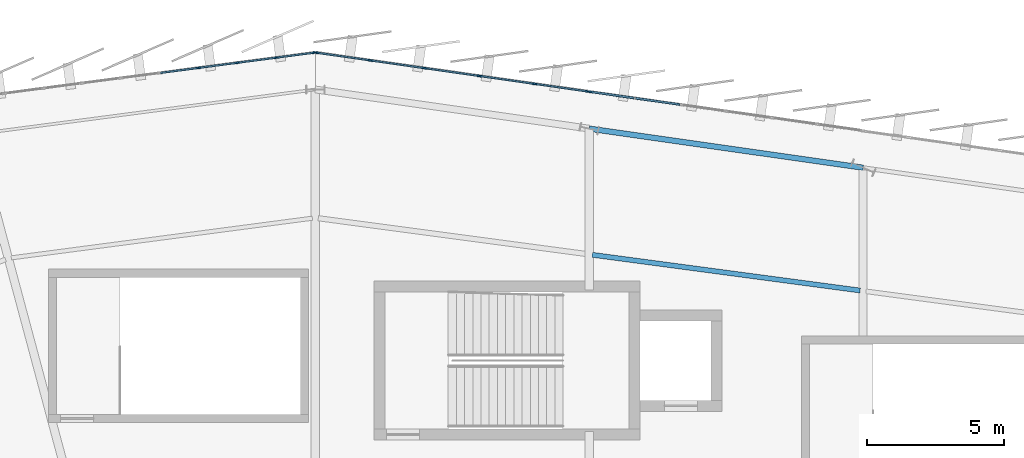
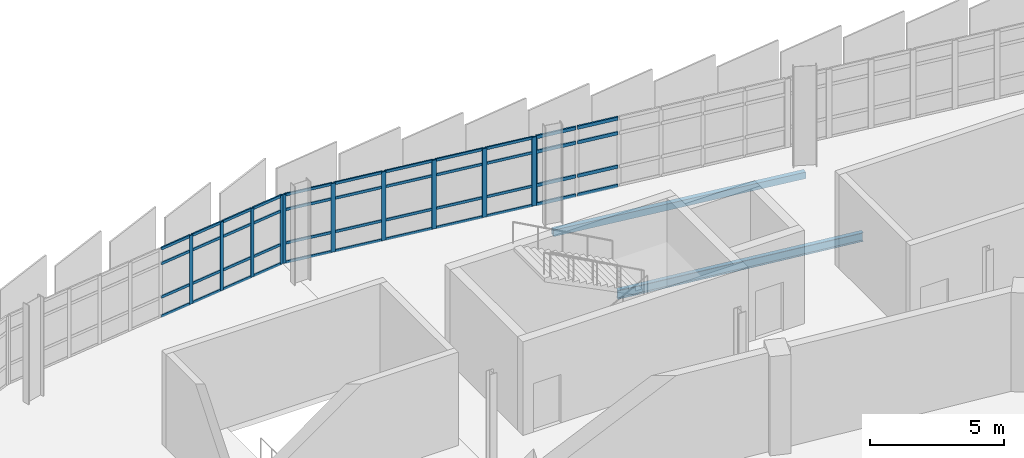
# One storey, part 34 of 87: 55 members, 2 beams, 3 elements without a shape of their own.
"""IFC4 building model written with IfcOpenShell, lengths in metres."""

from ifc_helpers import new_model, si_unit, direction, frame, origin, origin_2d, place, context, subcontext, project, spatial, rectangle, hollow_rectangle, i_section, extrude, material, layer, layer_set, material_profile, profile_set, type_object, element, aggregate, save


model = new_model("IFC4")

# Units and contexts
model_context = context("Model", 3, precision=1e-05, world=origin(), true_north=direction((0.0, 1.0)))
body_context = subcontext(model_context, "Body", "Model", "MODEL_VIEW")
ifc_project = project(units=[si_unit("LENGTHUNIT", "METRE"), si_unit("AREAUNIT", "SQUARE_METRE"), si_unit("VOLUMEUNIT", "CUBIC_METRE"), si_unit("PLANEANGLEUNIT", "RADIAN"), si_unit("MASSUNIT", "GRAM", prefix="KILO")], contexts=[model_context])

# Site, building, storey
site_placement = place(None, origin())
site = spatial("IfcSite", under=ifc_project, at=site_placement, CompositionType="ELEMENT")
building_placement = place(site_placement, origin())
building = spatial("IfcBuilding", under=site, at=building_placement, Name="Sohan Crest Arena", CompositionType="ELEMENT")
storey_placement = place(building_placement, frame((0.0, 0.0, 18.0)))
storey = spatial("IfcBuildingStorey", under=building, at=storey_placement, Name="L04", CompositionType="ELEMENT", Elevation=18.0)

# Curtain wall, members
ifc_material_1 = material(Name="Thermally broken anodised aluminium", Category="aluminium")
ifc_layer_1 = layer(ifc_material_1, 0.179931640625, Name="Thermally broken anodised aluminium")
ifc_layer_set_1 = layer_set([ifc_layer_1], Name="Thermally broken anodised aluminium")
curtain_wall_type_1 = type_object("IfcCurtainWallType", Name="ARC-CW01", PredefinedType="NOTDEFINED", material=ifc_layer_set_1)
curtain_wall_1_placement = place(storey_placement, origin())
curtain_wall_1 = element("IfcCurtainWall", 1, at=curtain_wall_1_placement, inside=storey, type_object=curtain_wall_type_1, Name="Unitised curtain wall CW-112", PredefinedType="NOTDEFINED")
ifc_material_profile_1 = material_profile(ifc_material_1, rectangle(XDim=0.06005859375, YDim=0.159912109375, at=origin_2d()), Name="ALU-MULL 60x160")
ifc_profile_set_1 = profile_set([ifc_material_profile_1], Name="Thermally broken anodised aluminium")
member_type_1 = type_object("IfcMemberType", Name="ARC-CW-ML01", PredefinedType="MULLION", material=ifc_profile_set_1)
member_1_placement = place(storey_placement, frame((97.97021484375, 127.34619140625, 0.0), z_axis=(0.0, 0.0, 1.0), x_axis=(0.130556913275, -0.991440816386, 0.0)))
member_1 = element("IfcMember", 2, at=member_1_placement, type_object=member_type_1, Name="CW-112 mullion 1", PredefinedType="MULLION", context=body_context, shape_type="SweptSolid", body=[
    extrude(rectangle(XDim=0.06005859375, YDim=0.159912109375, at=origin_2d()), origin(), (0.0, 0.0, 1.0), 3.1201171875),
])
member_2_placement = place(storey_placement, frame((96.580810546875, 127.1630859375, 0.0), z_axis=(0.0, 0.0, 1.0), x_axis=(0.130556913275, -0.991440816386, 0.0)))
member_2 = element("IfcMember", 3, at=member_2_placement, type_object=member_type_1, Name="CW-112 mullion 2", PredefinedType="MULLION", context=body_context, shape_type="SweptSolid", body=[
    extrude(rectangle(XDim=0.06005859375, YDim=0.159912109375, at=origin_2d()), origin(), (0.0, 0.0, 1.0), 3.1201171875),
])
member_3_placement = place(storey_placement, frame((95.16162109375, 126.976318359375, 0.0), z_axis=(0.0, 0.0, 1.0), x_axis=(0.130556913275, -0.991440816386, 0.0)))
member_3 = element("IfcMember", 4, at=member_3_placement, type_object=member_type_1, Name="CW-112 mullion 3", PredefinedType="MULLION", context=body_context, shape_type="SweptSolid", body=[
    extrude(rectangle(XDim=0.06005859375, YDim=0.159912109375, at=origin_2d()), origin(), (0.0, 0.0, 1.0), 3.1201171875),
])
member_4_placement = place(storey_placement, frame((93.742431640625, 126.789306640625, 0.0), z_axis=(0.0, 0.0, 1.0), x_axis=(0.130556913275, -0.991440816386, 0.0)))
member_4 = element("IfcMember", 5, at=member_4_placement, type_object=member_type_1, Name="CW-112 mullion 4", PredefinedType="MULLION", context=body_context, shape_type="SweptSolid", body=[
    extrude(rectangle(XDim=0.06005859375, YDim=0.159912109375, at=origin_2d()), origin(), (0.0, 0.0, 1.0), 3.1201171875),
])

# Curtain wall, member
ifc_layer_2 = layer(ifc_material_1, 0.219970703125, Name="Thermally broken anodised aluminium")
ifc_layer_set_2 = layer_set([ifc_layer_2], Name="Thermally broken anodised aluminium")
curtain_wall_type_2 = type_object("IfcCurtainWallType", Name="ARC-CW03", PredefinedType="NOTDEFINED", material=ifc_layer_set_2)
curtain_wall_2_placement = place(storey_placement, origin())
curtain_wall_2 = element("IfcCurtainWall", 6, at=curtain_wall_2_placement, inside=storey, type_object=curtain_wall_type_2, Name="Unitised curtain wall CW-144", PredefinedType="NOTDEFINED")
member_5_placement = place(storey_placement, frame((108.02978515625, 125.916748046875, 0.0), z_axis=(0.0, 0.0, 1.0), x_axis=(-0.141365918403, -0.989957411768, 0.0)))
member_5 = element("IfcMember", 7, at=member_5_placement, type_object=member_type_1, Name="CW-144 mullion 7", PredefinedType="MULLION", context=body_context, shape_type="SweptSolid", body=[
    extrude(rectangle(XDim=0.06005859375, YDim=0.159912109375, at=origin_2d()), origin(), (0.0, 0.0, 1.0), 3.1201171875),
])

# Curtain wall, members
ifc_layer_3 = layer(ifc_material_1, 0.239990234375, Name="Thermally broken anodised aluminium")
ifc_layer_set_3 = layer_set([ifc_layer_3], Name="Thermally broken anodised aluminium")
curtain_wall_type_3 = type_object("IfcCurtainWallType", Name="ARC-CW04", PredefinedType="NOTDEFINED", material=ifc_layer_set_3)
curtain_wall_3_placement = place(storey_placement, origin())
curtain_wall_3 = element("IfcCurtainWall", 8, at=curtain_wall_3_placement, inside=storey, type_object=curtain_wall_type_3, Name="Unitised curtain wall CW-145", PredefinedType="NOTDEFINED")
ifc_material_profile_2 = material_profile(ifc_material_1, rectangle(XDim=0.06494140625, YDim=0.179931640625, at=origin_2d()), Name="ALU-MULL 65x180")
ifc_profile_set_2 = profile_set([ifc_material_profile_2], Name="Thermally broken anodised aluminium")
member_type_2 = type_object("IfcMemberType", Name="ARC-CW-ML02", PredefinedType="MULLION", material=ifc_profile_set_2)
member_6_placement = place(storey_placement, frame((107.9677734375, 125.925537109375, 0.0), z_axis=(0.0, 0.0, 1.0), x_axis=(-0.141462933734, -0.989943553128, 0.0)))
member_6 = element("IfcMember", 9, at=member_6_placement, type_object=member_type_2, Name="CW-145 mullion 1", PredefinedType="MULLION", context=body_context, shape_type="SweptSolid", body=[
    extrude(rectangle(XDim=0.06494140625, YDim=0.179931640625, at=origin_2d()), origin(), (0.0, 0.0, 1.0), 3.1201171875),
])
member_7_placement = place(storey_placement, frame((106.0, 126.206787109375, 0.0), z_axis=(0.0, 0.0, 1.0), x_axis=(-0.141462933734, -0.989943553128, 0.0)))
member_7 = element("IfcMember", 10, at=member_7_placement, type_object=member_type_2, Name="CW-145 mullion 2", PredefinedType="MULLION", context=body_context, shape_type="SweptSolid", body=[
    extrude(rectangle(XDim=0.06494140625, YDim=0.179931640625, at=origin_2d()), origin(), (0.0, 0.0, 1.0), 3.1201171875),
])
member_8_placement = place(storey_placement, frame((104.0, 126.49267578125, 0.0), z_axis=(0.0, 0.0, 1.0), x_axis=(-0.141462933734, -0.989943553128, 0.0)))
member_8 = element("IfcMember", 11, at=member_8_placement, type_object=member_type_2, Name="CW-145 mullion 3", PredefinedType="MULLION", context=body_context, shape_type="SweptSolid", body=[
    extrude(rectangle(XDim=0.06494140625, YDim=0.179931640625, at=origin_2d()), origin(), (0.0, 0.0, 1.0), 3.1201171875),
])
member_9_placement = place(storey_placement, frame((102.0, 126.7783203125, 0.0), z_axis=(0.0, 0.0, 1.0), x_axis=(-0.141462933734, -0.989943553128, 0.0)))
member_9 = element("IfcMember", 12, at=member_9_placement, type_object=member_type_2, Name="CW-145 mullion 4", PredefinedType="MULLION", context=body_context, shape_type="SweptSolid", body=[
    extrude(rectangle(XDim=0.06494140625, YDim=0.179931640625, at=origin_2d()), origin(), (0.0, 0.0, 1.0), 3.1201171875),
])
member_10_placement = place(storey_placement, frame((100.0, 127.064208984375, 0.0), z_axis=(0.0, 0.0, 1.0), x_axis=(-0.141462933734, -0.989943553128, 0.0)))
member_10 = element("IfcMember", 13, at=member_10_placement, type_object=member_type_2, Name="CW-145 mullion 5", PredefinedType="MULLION", context=body_context, shape_type="SweptSolid", body=[
    extrude(rectangle(XDim=0.06494140625, YDim=0.179931640625, at=origin_2d()), origin(), (0.0, 0.0, 1.0), 3.1201171875),
])
member_11_placement = place(storey_placement, frame((98.0322265625, 127.345458984375, 0.0), z_axis=(0.0, 0.0, 1.0), x_axis=(-0.141462933734, -0.989943553128, 0.0)))
member_11 = element("IfcMember", 14, at=member_11_placement, type_object=member_type_2, Name="CW-145 mullion 6", PredefinedType="MULLION", context=body_context, shape_type="SweptSolid", body=[
    extrude(rectangle(XDim=0.06494140625, YDim=0.179931640625, at=origin_2d()), origin(), (0.0, 0.0, 1.0), 3.1201171875),
])

# Member
ifc_material_profile_3 = material_profile(ifc_material_1, rectangle(XDim=0.06005859375, YDim=0.1201171875, at=origin_2d()), Name="ALU-TRAN 60x120")
ifc_profile_set_3 = profile_set([ifc_material_profile_3], Name="Thermally broken anodised aluminium")
member_type_3 = type_object("IfcMemberType", Name="ARC-CW-TR01", PredefinedType="USERDEFINED", material=ifc_profile_set_3)
member_12_placement = place(storey_placement, frame((97.9404296875, 127.34228515625, 0.030029296875), z_axis=(-0.991423912577, -0.130685215574, 0.0), x_axis=(0.130685215574, -0.991423912577, 0.0)))
member_12 = element("IfcMember", 15, at=member_12_placement, type_object=member_type_3, Name="CW-112 transom 1.1", ObjectType="TRANSOM", PredefinedType="USERDEFINED", context=body_context, shape_type="SweptSolid", body=[
    extrude(rectangle(XDim=0.06005859375, YDim=0.1201171875, at=origin_2d()), origin(), (0.0, 0.0, 1.0), 1.34130859375),
])

member_13_placement = place(storey_placement, frame((97.9404296875, 127.34228515625, 0.89990234375), z_axis=(-0.991423912577, -0.130685215574, 0.0), x_axis=(0.130685215574, -0.991423912577, 0.0)))
member_13 = element("IfcMember", 16, at=member_13_placement, type_object=member_type_3, Name="CW-112 transom 1.2", ObjectType="TRANSOM", PredefinedType="USERDEFINED", context=body_context, shape_type="SweptSolid", body=[
    extrude(rectangle(XDim=0.06005859375, YDim=0.1201171875, at=origin_2d()), origin(), (0.0, 0.0, 1.0), 1.34130859375),
])

member_14_placement = place(storey_placement, frame((97.9404296875, 127.34228515625, 2.419921875), z_axis=(-0.991423912577, -0.130685215574, 0.0), x_axis=(0.130685215574, -0.991423912577, 0.0)))
member_14 = element("IfcMember", 17, at=member_14_placement, type_object=member_type_3, Name="CW-112 transom 1.3", ObjectType="TRANSOM", PredefinedType="USERDEFINED", context=body_context, shape_type="SweptSolid", body=[
    extrude(rectangle(XDim=0.06005859375, YDim=0.1201171875, at=origin_2d()), origin(), (0.0, 0.0, 1.0), 1.34130859375),
])

member_15_placement = place(storey_placement, frame((97.9404296875, 127.34228515625, 3.090087890625), z_axis=(-0.991423912577, -0.130685215574, 0.0), x_axis=(0.130685215574, -0.991423912577, 0.0)))
member_15 = element("IfcMember", 18, at=member_15_placement, type_object=member_type_3, Name="CW-112 transom 1.4", ObjectType="TRANSOM", PredefinedType="USERDEFINED", context=body_context, shape_type="SweptSolid", body=[
    extrude(rectangle(XDim=0.06005859375, YDim=0.1201171875, at=origin_2d()), origin(), (0.0, 0.0, 1.0), 1.34130859375),
])

member_16_placement = place(storey_placement, frame((96.551025390625, 127.1591796875, 0.030029296875), z_axis=(-0.99144884107, -0.130495959868, 0.0), x_axis=(0.130495959868, -0.99144884107, 0.0)))
member_16 = element("IfcMember", 19, at=member_16_placement, type_object=member_type_3, Name="CW-112 transom 2.1", ObjectType="TRANSOM", PredefinedType="USERDEFINED", context=body_context, shape_type="SweptSolid", body=[
    extrude(rectangle(XDim=0.06005859375, YDim=0.1201171875, at=origin_2d()), origin(), (0.0, 0.0, 1.0), 1.371337890625),
])

member_17_placement = place(storey_placement, frame((96.551025390625, 127.1591796875, 0.89990234375), z_axis=(-0.99144884107, -0.130495959868, 0.0), x_axis=(0.130495959868, -0.99144884107, 0.0)))
member_17 = element("IfcMember", 20, at=member_17_placement, type_object=member_type_3, Name="CW-112 transom 2.2", ObjectType="TRANSOM", PredefinedType="USERDEFINED", context=body_context, shape_type="SweptSolid", body=[
    extrude(rectangle(XDim=0.06005859375, YDim=0.1201171875, at=origin_2d()), origin(), (0.0, 0.0, 1.0), 1.371337890625),
])

member_18_placement = place(storey_placement, frame((96.551025390625, 127.1591796875, 2.419921875), z_axis=(-0.99144884107, -0.130495959868, 0.0), x_axis=(0.130495959868, -0.99144884107, 0.0)))
member_18 = element("IfcMember", 21, at=member_18_placement, type_object=member_type_3, Name="CW-112 transom 2.3", ObjectType="TRANSOM", PredefinedType="USERDEFINED", context=body_context, shape_type="SweptSolid", body=[
    extrude(rectangle(XDim=0.06005859375, YDim=0.1201171875, at=origin_2d()), origin(), (0.0, 0.0, 1.0), 1.371337890625),
])

member_19_placement = place(storey_placement, frame((96.551025390625, 127.1591796875, 3.090087890625), z_axis=(-0.99144884107, -0.130495959868, 0.0), x_axis=(0.130495959868, -0.99144884107, 0.0)))
member_19 = element("IfcMember", 22, at=member_19_placement, type_object=member_type_3, Name="CW-112 transom 2.4", ObjectType="TRANSOM", PredefinedType="USERDEFINED", context=body_context, shape_type="SweptSolid", body=[
    extrude(rectangle(XDim=0.06005859375, YDim=0.1201171875, at=origin_2d()), origin(), (0.0, 0.0, 1.0), 1.371337890625),
])

member_20_placement = place(storey_placement, frame((95.1318359375, 126.972412109375, 0.030029296875), z_axis=(-0.991428831601, -0.13064789271, 0.0), x_axis=(0.13064789271, -0.991428831601, 0.0)))
member_20 = element("IfcMember", 23, at=member_20_placement, type_object=member_type_3, Name="CW-112 transom 3.1", ObjectType="TRANSOM", PredefinedType="USERDEFINED", context=body_context, shape_type="SweptSolid", body=[
    extrude(rectangle(XDim=0.06005859375, YDim=0.1201171875, at=origin_2d()), origin(), (0.0, 0.0, 1.0), 1.37158203125),
])

member_21_placement = place(storey_placement, frame((95.1318359375, 126.972412109375, 0.89990234375), z_axis=(-0.991428831601, -0.13064789271, 0.0), x_axis=(0.13064789271, -0.991428831601, 0.0)))
member_21 = element("IfcMember", 24, at=member_21_placement, type_object=member_type_3, Name="CW-112 transom 3.2", ObjectType="TRANSOM", PredefinedType="USERDEFINED", context=body_context, shape_type="SweptSolid", body=[
    extrude(rectangle(XDim=0.06005859375, YDim=0.1201171875, at=origin_2d()), origin(), (0.0, 0.0, 1.0), 1.37158203125),
])

member_22_placement = place(storey_placement, frame((95.1318359375, 126.972412109375, 2.419921875), z_axis=(-0.991428831601, -0.13064789271, 0.0), x_axis=(0.13064789271, -0.991428831601, 0.0)))
member_22 = element("IfcMember", 25, at=member_22_placement, type_object=member_type_3, Name="CW-112 transom 3.3", ObjectType="TRANSOM", PredefinedType="USERDEFINED", context=body_context, shape_type="SweptSolid", body=[
    extrude(rectangle(XDim=0.06005859375, YDim=0.1201171875, at=origin_2d()), origin(), (0.0, 0.0, 1.0), 1.37158203125),
])

member_23_placement = place(storey_placement, frame((95.1318359375, 126.972412109375, 3.090087890625), z_axis=(-0.991428831601, -0.13064789271, 0.0), x_axis=(0.13064789271, -0.991428831601, 0.0)))
member_23 = element("IfcMember", 26, at=member_23_placement, type_object=member_type_3, Name="CW-112 transom 3.4", ObjectType="TRANSOM", PredefinedType="USERDEFINED", context=body_context, shape_type="SweptSolid", body=[
    extrude(rectangle(XDim=0.06005859375, YDim=0.1201171875, at=origin_2d()), origin(), (0.0, 0.0, 1.0), 1.37158203125),
])

member_24_placement = place(storey_placement, frame((93.712646484375, 126.785400390625, 0.030029296875), z_axis=(-0.991451871974, -0.130472930369, 0.0), x_axis=(0.130472930369, -0.991451871974, 0.0)))
member_24 = element("IfcMember", 27, at=member_24_placement, type_object=member_type_3, Name="CW-112 transom 4.1", ObjectType="TRANSOM", PredefinedType="USERDEFINED", context=body_context, shape_type="SweptSolid", body=[
    extrude(rectangle(XDim=0.06005859375, YDim=0.1201171875, at=origin_2d()), origin(), (0.0, 0.0, 1.0), 1.37158203125),
])

member_25_placement = place(storey_placement, frame((93.712646484375, 126.785400390625, 0.89990234375), z_axis=(-0.991451871974, -0.130472930369, 0.0), x_axis=(0.130472930369, -0.991451871974, 0.0)))
member_25 = element("IfcMember", 28, at=member_25_placement, type_object=member_type_3, Name="CW-112 transom 4.2", ObjectType="TRANSOM", PredefinedType="USERDEFINED", context=body_context, shape_type="SweptSolid", body=[
    extrude(rectangle(XDim=0.06005859375, YDim=0.1201171875, at=origin_2d()), origin(), (0.0, 0.0, 1.0), 1.37158203125),
])

member_26_placement = place(storey_placement, frame((93.712646484375, 126.785400390625, 2.419921875), z_axis=(-0.991451871974, -0.130472930369, 0.0), x_axis=(0.130472930369, -0.991451871974, 0.0)))
member_26 = element("IfcMember", 29, at=member_26_placement, type_object=member_type_3, Name="CW-112 transom 4.3", ObjectType="TRANSOM", PredefinedType="USERDEFINED", context=body_context, shape_type="SweptSolid", body=[
    extrude(rectangle(XDim=0.06005859375, YDim=0.1201171875, at=origin_2d()), origin(), (0.0, 0.0, 1.0), 1.37158203125),
])

member_27_placement = place(storey_placement, frame((93.712646484375, 126.785400390625, 3.090087890625), z_axis=(-0.991451871974, -0.130472930369, 0.0), x_axis=(0.130472930369, -0.991451871974, 0.0)))
member_27 = element("IfcMember", 30, at=member_27_placement, type_object=member_type_3, Name="CW-112 transom 4.4", ObjectType="TRANSOM", PredefinedType="USERDEFINED", context=body_context, shape_type="SweptSolid", body=[
    extrude(rectangle(XDim=0.06005859375, YDim=0.1201171875, at=origin_2d()), origin(), (0.0, 0.0, 1.0), 1.37158203125),
])

aggregate(curtain_wall_1, [member_1, member_2, member_3, member_4, member_12, member_13, member_14, member_15, member_16, member_17, member_18, member_19, member_20, member_21, member_22, member_23, member_24, member_25, member_26, member_27])

member_28_placement = place(storey_placement, frame((107.935546875, 125.93017578125, 0.030029296875), z_axis=(-0.98994441378, 0.141456910845, 0.0), x_axis=(-0.141456910845, -0.98994441378, 0.0)))
member_28 = element("IfcMember", 31, at=member_28_placement, type_object=member_type_3, Name="CW-145 transom 1.1", ObjectType="TRANSOM", PredefinedType="USERDEFINED", context=body_context, shape_type="SweptSolid", body=[
    extrude(rectangle(XDim=0.06005859375, YDim=0.1201171875, at=origin_2d()), origin(), (0.0, 0.0, 1.0), 1.922607421875),
])

member_29_placement = place(storey_placement, frame((107.935546875, 125.93017578125, 0.89990234375), z_axis=(-0.98994441378, 0.141456910845, 0.0), x_axis=(-0.141456910845, -0.98994441378, 0.0)))
member_29 = element("IfcMember", 32, at=member_29_placement, type_object=member_type_3, Name="CW-145 transom 1.2", ObjectType="TRANSOM", PredefinedType="USERDEFINED", context=body_context, shape_type="SweptSolid", body=[
    extrude(rectangle(XDim=0.06005859375, YDim=0.1201171875, at=origin_2d()), origin(), (0.0, 0.0, 1.0), 1.922607421875),
])

member_30_placement = place(storey_placement, frame((107.935546875, 125.93017578125, 2.419921875), z_axis=(-0.98994441378, 0.141456910845, 0.0), x_axis=(-0.141456910845, -0.98994441378, 0.0)))
member_30 = element("IfcMember", 33, at=member_30_placement, type_object=member_type_3, Name="CW-145 transom 1.3", ObjectType="TRANSOM", PredefinedType="USERDEFINED", context=body_context, shape_type="SweptSolid", body=[
    extrude(rectangle(XDim=0.06005859375, YDim=0.1201171875, at=origin_2d()), origin(), (0.0, 0.0, 1.0), 1.922607421875),
])

member_31_placement = place(storey_placement, frame((107.935546875, 125.93017578125, 3.090087890625), z_axis=(-0.98994441378, 0.141456910845, 0.0), x_axis=(-0.141456910845, -0.98994441378, 0.0)))
member_31 = element("IfcMember", 34, at=member_31_placement, type_object=member_type_3, Name="CW-145 transom 1.4", ObjectType="TRANSOM", PredefinedType="USERDEFINED", context=body_context, shape_type="SweptSolid", body=[
    extrude(rectangle(XDim=0.06005859375, YDim=0.1201171875, at=origin_2d()), origin(), (0.0, 0.0, 1.0), 1.922607421875),
])

member_32_placement = place(storey_placement, frame((105.9677734375, 126.21142578125, 0.030029296875), z_axis=(-0.989942000279, 0.141473799989, 0.0), x_axis=(-0.141473799989, -0.989942000279, 0.0)))
member_32 = element("IfcMember", 35, at=member_32_placement, type_object=member_type_3, Name="CW-145 transom 2.1", ObjectType="TRANSOM", PredefinedType="USERDEFINED", context=body_context, shape_type="SweptSolid", body=[
    extrude(rectangle(XDim=0.06005859375, YDim=0.1201171875, at=origin_2d()), origin(), (0.0, 0.0, 1.0), 1.955322265625),
])

member_33_placement = place(storey_placement, frame((105.9677734375, 126.21142578125, 0.89990234375), z_axis=(-0.989942000279, 0.141473799989, 0.0), x_axis=(-0.141473799989, -0.989942000279, 0.0)))
member_33 = element("IfcMember", 36, at=member_33_placement, type_object=member_type_3, Name="CW-145 transom 2.2", ObjectType="TRANSOM", PredefinedType="USERDEFINED", context=body_context, shape_type="SweptSolid", body=[
    extrude(rectangle(XDim=0.06005859375, YDim=0.1201171875, at=origin_2d()), origin(), (0.0, 0.0, 1.0), 1.955322265625),
])

member_34_placement = place(storey_placement, frame((105.9677734375, 126.21142578125, 2.419921875), z_axis=(-0.989942000279, 0.141473799989, 0.0), x_axis=(-0.141473799989, -0.989942000279, 0.0)))
member_34 = element("IfcMember", 37, at=member_34_placement, type_object=member_type_3, Name="CW-145 transom 2.3", ObjectType="TRANSOM", PredefinedType="USERDEFINED", context=body_context, shape_type="SweptSolid", body=[
    extrude(rectangle(XDim=0.06005859375, YDim=0.1201171875, at=origin_2d()), origin(), (0.0, 0.0, 1.0), 1.955322265625),
])

member_35_placement = place(storey_placement, frame((105.9677734375, 126.21142578125, 3.090087890625), z_axis=(-0.989942000279, 0.141473799989, 0.0), x_axis=(-0.141473799989, -0.989942000279, 0.0)))
member_35 = element("IfcMember", 38, at=member_35_placement, type_object=member_type_3, Name="CW-145 transom 2.4", ObjectType="TRANSOM", PredefinedType="USERDEFINED", context=body_context, shape_type="SweptSolid", body=[
    extrude(rectangle(XDim=0.06005859375, YDim=0.1201171875, at=origin_2d()), origin(), (0.0, 0.0, 1.0), 1.955322265625),
])

member_36_placement = place(storey_placement, frame((103.9677734375, 126.497314453125, 0.030029296875), z_axis=(-0.989959480692, 0.141351429382, 0.0), x_axis=(-0.141351429382, -0.989959480692, 0.0)))
member_36 = element("IfcMember", 39, at=member_36_placement, type_object=member_type_3, Name="CW-145 transom 3.1", ObjectType="TRANSOM", PredefinedType="USERDEFINED", context=body_context, shape_type="SweptSolid", body=[
    extrude(rectangle(XDim=0.06005859375, YDim=0.1201171875, at=origin_2d()), origin(), (0.0, 0.0, 1.0), 1.955078125),
])

member_37_placement = place(storey_placement, frame((103.9677734375, 126.497314453125, 0.89990234375), z_axis=(-0.989959480692, 0.141351429382, 0.0), x_axis=(-0.141351429382, -0.989959480692, 0.0)))
member_37 = element("IfcMember", 40, at=member_37_placement, type_object=member_type_3, Name="CW-145 transom 3.2", ObjectType="TRANSOM", PredefinedType="USERDEFINED", context=body_context, shape_type="SweptSolid", body=[
    extrude(rectangle(XDim=0.06005859375, YDim=0.1201171875, at=origin_2d()), origin(), (0.0, 0.0, 1.0), 1.955078125),
])

member_38_placement = place(storey_placement, frame((103.9677734375, 126.497314453125, 2.419921875), z_axis=(-0.989959480692, 0.141351429382, 0.0), x_axis=(-0.141351429382, -0.989959480692, 0.0)))
member_38 = element("IfcMember", 41, at=member_38_placement, type_object=member_type_3, Name="CW-145 transom 3.3", ObjectType="TRANSOM", PredefinedType="USERDEFINED", context=body_context, shape_type="SweptSolid", body=[
    extrude(rectangle(XDim=0.06005859375, YDim=0.1201171875, at=origin_2d()), origin(), (0.0, 0.0, 1.0), 1.955078125),
])

member_39_placement = place(storey_placement, frame((103.9677734375, 126.497314453125, 3.090087890625), z_axis=(-0.989959480692, 0.141351429382, 0.0), x_axis=(-0.141351429382, -0.989959480692, 0.0)))
member_39 = element("IfcMember", 42, at=member_39_placement, type_object=member_type_3, Name="CW-145 transom 3.4", ObjectType="TRANSOM", PredefinedType="USERDEFINED", context=body_context, shape_type="SweptSolid", body=[
    extrude(rectangle(XDim=0.06005859375, YDim=0.1201171875, at=origin_2d()), origin(), (0.0, 0.0, 1.0), 1.955078125),
])

member_40_placement = place(storey_placement, frame((101.9677734375, 126.782958984375, 0.030029296875), z_axis=(-0.989942000279, 0.141473799989, 0.0), x_axis=(-0.141473799989, -0.989942000279, 0.0)))
member_40 = element("IfcMember", 43, at=member_40_placement, type_object=member_type_3, Name="CW-145 transom 4.1", ObjectType="TRANSOM", PredefinedType="USERDEFINED", context=body_context, shape_type="SweptSolid", body=[
    extrude(rectangle(XDim=0.06005859375, YDim=0.1201171875, at=origin_2d()), origin(), (0.0, 0.0, 1.0), 1.955322265625),
])

member_41_placement = place(storey_placement, frame((101.9677734375, 126.782958984375, 0.89990234375), z_axis=(-0.989942000279, 0.141473799989, 0.0), x_axis=(-0.141473799989, -0.989942000279, 0.0)))
member_41 = element("IfcMember", 44, at=member_41_placement, type_object=member_type_3, Name="CW-145 transom 4.2", ObjectType="TRANSOM", PredefinedType="USERDEFINED", context=body_context, shape_type="SweptSolid", body=[
    extrude(rectangle(XDim=0.06005859375, YDim=0.1201171875, at=origin_2d()), origin(), (0.0, 0.0, 1.0), 1.955322265625),
])

member_42_placement = place(storey_placement, frame((101.9677734375, 126.782958984375, 2.419921875), z_axis=(-0.989942000279, 0.141473799989, 0.0), x_axis=(-0.141473799989, -0.989942000279, 0.0)))
member_42 = element("IfcMember", 45, at=member_42_placement, type_object=member_type_3, Name="CW-145 transom 4.3", ObjectType="TRANSOM", PredefinedType="USERDEFINED", context=body_context, shape_type="SweptSolid", body=[
    extrude(rectangle(XDim=0.06005859375, YDim=0.1201171875, at=origin_2d()), origin(), (0.0, 0.0, 1.0), 1.955322265625),
])

member_43_placement = place(storey_placement, frame((101.9677734375, 126.782958984375, 3.090087890625), z_axis=(-0.989942000279, 0.141473799989, 0.0), x_axis=(-0.141473799989, -0.989942000279, 0.0)))
member_43 = element("IfcMember", 46, at=member_43_placement, type_object=member_type_3, Name="CW-145 transom 4.4", ObjectType="TRANSOM", PredefinedType="USERDEFINED", context=body_context, shape_type="SweptSolid", body=[
    extrude(rectangle(XDim=0.06005859375, YDim=0.1201171875, at=origin_2d()), origin(), (0.0, 0.0, 1.0), 1.955322265625),
])

member_44_placement = place(storey_placement, frame((99.9677734375, 127.06884765625, 0.030029296875), z_axis=(-0.98994441378, 0.141456910845, 0.0), x_axis=(-0.141456910845, -0.98994441378, 0.0)))
member_44 = element("IfcMember", 47, at=member_44_placement, type_object=member_type_3, Name="CW-145 transom 5.1", ObjectType="TRANSOM", PredefinedType="USERDEFINED", context=body_context, shape_type="SweptSolid", body=[
    extrude(rectangle(XDim=0.06005859375, YDim=0.1201171875, at=origin_2d()), origin(), (0.0, 0.0, 1.0), 1.922607421875),
])

member_45_placement = place(storey_placement, frame((99.9677734375, 127.06884765625, 0.89990234375), z_axis=(-0.98994441378, 0.141456910845, 0.0), x_axis=(-0.141456910845, -0.98994441378, 0.0)))
member_45 = element("IfcMember", 48, at=member_45_placement, type_object=member_type_3, Name="CW-145 transom 5.2", ObjectType="TRANSOM", PredefinedType="USERDEFINED", context=body_context, shape_type="SweptSolid", body=[
    extrude(rectangle(XDim=0.06005859375, YDim=0.1201171875, at=origin_2d()), origin(), (0.0, 0.0, 1.0), 1.922607421875),
])

member_46_placement = place(storey_placement, frame((99.9677734375, 127.06884765625, 2.419921875), z_axis=(-0.98994441378, 0.141456910845, 0.0), x_axis=(-0.141456910845, -0.98994441378, 0.0)))
member_46 = element("IfcMember", 49, at=member_46_placement, type_object=member_type_3, Name="CW-145 transom 5.3", ObjectType="TRANSOM", PredefinedType="USERDEFINED", context=body_context, shape_type="SweptSolid", body=[
    extrude(rectangle(XDim=0.06005859375, YDim=0.1201171875, at=origin_2d()), origin(), (0.0, 0.0, 1.0), 1.922607421875),
])

member_47_placement = place(storey_placement, frame((99.9677734375, 127.06884765625, 3.090087890625), z_axis=(-0.98994441378, 0.141456910845, 0.0), x_axis=(-0.141456910845, -0.98994441378, 0.0)))
member_47 = element("IfcMember", 50, at=member_47_placement, type_object=member_type_3, Name="CW-145 transom 5.4", ObjectType="TRANSOM", PredefinedType="USERDEFINED", context=body_context, shape_type="SweptSolid", body=[
    extrude(rectangle(XDim=0.06005859375, YDim=0.1201171875, at=origin_2d()), origin(), (0.0, 0.0, 1.0), 1.922607421875),
])

aggregate(curtain_wall_3, [member_6, member_7, member_8, member_9, member_10, member_11, member_28, member_29, member_30, member_31, member_32, member_33, member_34, member_35, member_36, member_37, member_38, member_39, member_40, member_41, member_42, member_43, member_44, member_45, member_46, member_47])

ifc_material_profile_4 = material_profile(ifc_material_1, rectangle(XDim=0.070068359375, YDim=0.14990234375, at=origin_2d()), Name="ALU-TRAN 70x150")
ifc_profile_set_4 = profile_set([ifc_material_profile_4], Name="Thermally broken anodised aluminium")
member_type_4 = type_object("IfcMemberType", Name="ARC-CW-TR03", PredefinedType="USERDEFINED", material=ifc_profile_set_4)
member_48_placement = place(storey_placement, frame((111.3037109375, 125.44921875, 0.034912109375), z_axis=(-0.989961518774, 0.141337154868, 0.0), x_axis=(-0.141337154868, -0.989961518774, 0.0)))
member_48 = element("IfcMember", 51, at=member_48_placement, type_object=member_type_4, Name="CW-144 transom 5.1", ObjectType="TRANSOM", PredefinedType="USERDEFINED", context=body_context, shape_type="SweptSolid", body=[
    extrude(rectangle(XDim=0.070068359375, YDim=0.14990234375, at=origin_2d()), origin(), (0.0, 0.0, 1.0), 1.623779296875),
])

member_49_placement = place(storey_placement, frame((111.3037109375, 125.44921875, 0.89990234375), z_axis=(-0.989961518774, 0.141337154868, 0.0), x_axis=(-0.141337154868, -0.989961518774, 0.0)))
member_49 = element("IfcMember", 52, at=member_49_placement, type_object=member_type_4, Name="CW-144 transom 5.2", ObjectType="TRANSOM", PredefinedType="USERDEFINED", context=body_context, shape_type="SweptSolid", body=[
    extrude(rectangle(XDim=0.070068359375, YDim=0.14990234375, at=origin_2d()), origin(), (0.0, 0.0, 1.0), 1.623779296875),
])

member_50_placement = place(storey_placement, frame((111.3037109375, 125.44921875, 2.419921875), z_axis=(-0.989961518774, 0.141337154868, 0.0), x_axis=(-0.141337154868, -0.989961518774, 0.0)))
member_50 = element("IfcMember", 53, at=member_50_placement, type_object=member_type_4, Name="CW-144 transom 5.3", ObjectType="TRANSOM", PredefinedType="USERDEFINED", context=body_context, shape_type="SweptSolid", body=[
    extrude(rectangle(XDim=0.070068359375, YDim=0.14990234375, at=origin_2d()), origin(), (0.0, 0.0, 1.0), 1.623779296875),
])

member_51_placement = place(storey_placement, frame((111.3037109375, 125.44921875, 3.0849609375), z_axis=(-0.989961518774, 0.141337154868, 0.0), x_axis=(-0.141337154868, -0.989961518774, 0.0)))
member_51 = element("IfcMember", 54, at=member_51_placement, type_object=member_type_4, Name="CW-144 transom 5.4", ObjectType="TRANSOM", PredefinedType="USERDEFINED", context=body_context, shape_type="SweptSolid", body=[
    extrude(rectangle(XDim=0.070068359375, YDim=0.14990234375, at=origin_2d()), origin(), (0.0, 0.0, 1.0), 1.623779296875),
])

member_52_placement = place(storey_placement, frame((109.636962890625, 125.687255859375, 0.034912109375), z_axis=(-0.989952557349, 0.141399908764, 0.0), x_axis=(-0.141399908764, -0.989952557349, 0.0)))
member_52 = element("IfcMember", 55, at=member_52_placement, type_object=member_type_4, Name="CW-144 transom 6.1", ObjectType="TRANSOM", PredefinedType="USERDEFINED", context=body_context, shape_type="SweptSolid", body=[
    extrude(rectangle(XDim=0.070068359375, YDim=0.14990234375, at=origin_2d()), origin(), (0.0, 0.0, 1.0), 1.59375),
])

member_53_placement = place(storey_placement, frame((109.636962890625, 125.687255859375, 0.89990234375), z_axis=(-0.989952557349, 0.141399908764, 0.0), x_axis=(-0.141399908764, -0.989952557349, 0.0)))
member_53 = element("IfcMember", 56, at=member_53_placement, type_object=member_type_4, Name="CW-144 transom 6.2", ObjectType="TRANSOM", PredefinedType="USERDEFINED", context=body_context, shape_type="SweptSolid", body=[
    extrude(rectangle(XDim=0.070068359375, YDim=0.14990234375, at=origin_2d()), origin(), (0.0, 0.0, 1.0), 1.59375),
])

member_54_placement = place(storey_placement, frame((109.636962890625, 125.687255859375, 2.419921875), z_axis=(-0.989952557349, 0.141399908764, 0.0), x_axis=(-0.141399908764, -0.989952557349, 0.0)))
member_54 = element("IfcMember", 57, at=member_54_placement, type_object=member_type_4, Name="CW-144 transom 6.3", ObjectType="TRANSOM", PredefinedType="USERDEFINED", context=body_context, shape_type="SweptSolid", body=[
    extrude(rectangle(XDim=0.070068359375, YDim=0.14990234375, at=origin_2d()), origin(), (0.0, 0.0, 1.0), 1.59375),
])

member_55_placement = place(storey_placement, frame((109.636962890625, 125.687255859375, 3.0849609375), z_axis=(-0.989952557349, 0.141399908764, 0.0), x_axis=(-0.141399908764, -0.989952557349, 0.0)))
member_55 = element("IfcMember", 58, at=member_55_placement, type_object=member_type_4, Name="CW-144 transom 6.4", ObjectType="TRANSOM", PredefinedType="USERDEFINED", context=body_context, shape_type="SweptSolid", body=[
    extrude(rectangle(XDim=0.070068359375, YDim=0.14990234375, at=origin_2d()), origin(), (0.0, 0.0, 1.0), 1.59375),
])

aggregate(curtain_wall_2, [member_5, member_48, member_49, member_50, member_51, member_52, member_53, member_54, member_55])

# Beams
ifc_material_2 = material(Name="Steel S355", Category="steel")
ifc_material_profile_5 = material_profile(ifc_material_2, i_section(OverallWidth=0.179931640625, OverallDepth=0.39990234375, WebThickness=0.008544921875, FlangeThickness=0.013427734375, at=origin_2d()), Name="IPE 400")
ifc_profile_set_5 = profile_set([ifc_material_profile_5], Name="Steel S355")
beam_type_1 = type_object("IfcBeamType", Name="STR-BM-B03", PredefinedType="JOIST", material=ifc_profile_set_5)
beam_1_placement = place(storey_placement, frame((117.89111328125, 118.659912109375, -0.449951171875), z_axis=(-0.991229196985, 0.132153997462, 0.0), x_axis=(-0.132153997462, -0.991229196985, 0.0)))
element("IfcBeam", 59, at=beam_1_placement, inside=storey, type_object=beam_type_1, Name="Structural beam J-L04-1701", PredefinedType="JOIST", context=body_context, shape_type="SweptSolid", body=[
    extrude(i_section(OverallWidth=0.179931640625, OverallDepth=0.39990234375, WebThickness=0.008544921875, FlangeThickness=0.013427734375, at=origin_2d()), origin(), (0.0, 0.0, 1.0), 9.868896484375),
])
ifc_material_profile_6 = material_profile(ifc_material_2, hollow_rectangle(XDim=0.199951171875, YDim=0.300048828125, WallThickness=0.010009765625, at=origin_2d()), Name="RHS 300x200x10")
ifc_profile_set_6 = profile_set([ifc_material_profile_6], Name="Steel S355")
beam_type_2 = type_object("IfcBeamType", Name="STR-BM-SP03", PredefinedType="SPANDREL", material=ifc_profile_set_6)
beam_2_placement = place(storey_placement, frame((118.0, 123.14306640625, -0.39990234375), z_axis=(-0.989957709412, 0.141363834042, 0.0), x_axis=(-0.141363834042, -0.989957709412, 0.0)))
element("IfcBeam", 60, at=beam_2_placement, inside=storey, type_object=beam_type_2, Name="Structural beam SP-L04-1700", PredefinedType="SPANDREL", context=body_context, shape_type="SweptSolid", body=[
    extrude(hollow_rectangle(XDim=0.199951171875, YDim=0.300048828125, WallThickness=0.010009765625, at=origin_2d()), origin(), (0.0, 0.0, 1.0), 10.1015625),
])

save(model, "model.ifc")
